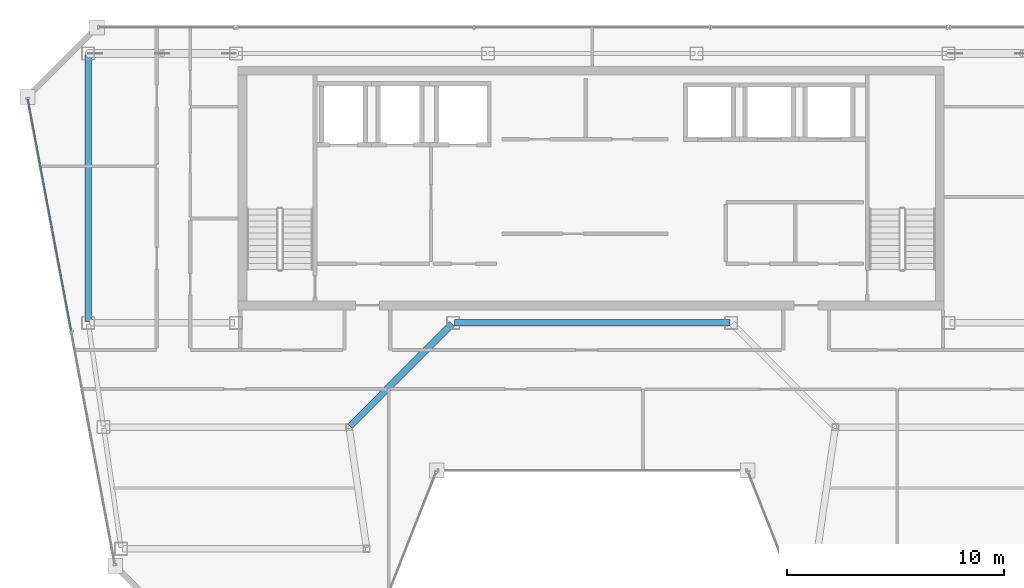
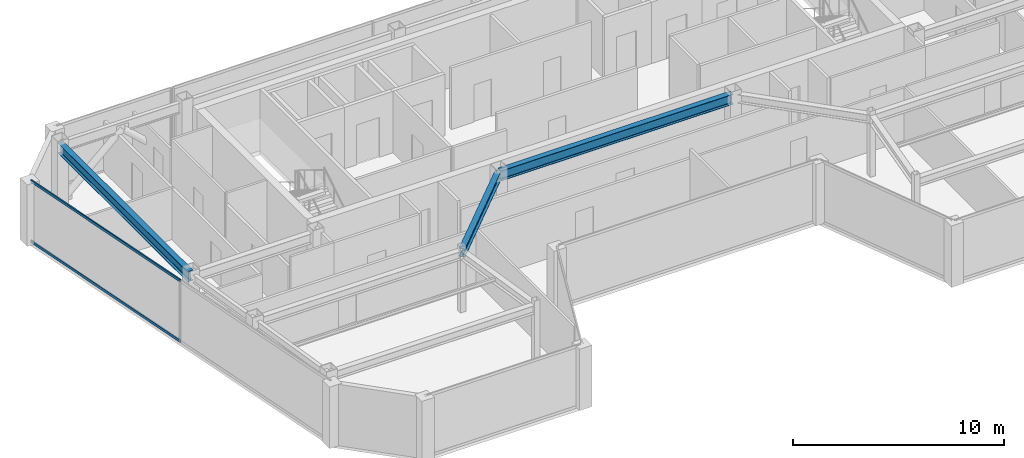
# One storey, part 7 of 22: 3 beams, 2 members, 1 element without a shape of its own.
"""IFC4 building model written with IfcOpenShell, lengths in metres."""

from ifc_helpers import new_model, si_unit, direction, frame, origin, origin_2d, place, context, subcontext, project, spatial, hollow_rectangle, i_section, extrude, material, material_profile, profile_set, type_object, element, aggregate, save


model = new_model("IFC4")

# Units and contexts
model_context = context("Model", 3, precision=1e-05, world=origin(), true_north=direction((0.0, 1.0)))
body_context = subcontext(model_context, "Body", "Model", "MODEL_VIEW")
ifc_project = project(units=[si_unit("LENGTHUNIT", "METRE"), si_unit("AREAUNIT", "SQUARE_METRE"), si_unit("VOLUMEUNIT", "CUBIC_METRE"), si_unit("PLANEANGLEUNIT", "RADIAN"), si_unit("MASSUNIT", "GRAM", prefix="KILO")], contexts=[model_context])

# Site, building, storey
site_placement = place(None, origin())
site = spatial("IfcSite", under=ifc_project, at=site_placement, CompositionType="ELEMENT")
building_placement = place(site_placement, origin())
building = spatial("IfcBuilding", under=site, at=building_placement, Name="Saevonmaru Cultural Tower", CompositionType="ELEMENT")
storey_placement = place(building_placement, frame((0.0, 0.0, 287.60009765625)))
storey = spatial("IfcBuildingStorey", under=building, at=storey_placement, Name="L68", CompositionType="ELEMENT", Elevation=287.60009765625)

# Beams
ifc_material_1 = material(Name="Steel SM355", Category="steel")
ifc_material_profile_1 = material_profile(ifc_material_1, i_section(OverallWidth=0.300048828125, OverallDepth=0.488037109375, WebThickness=0.010986328125, FlangeThickness=0.01806640625, FilletRadius=0.02197265625, at=origin_2d()), Name="H-488x300x11x18")
ifc_profile_set_1 = profile_set([ifc_material_profile_1], Name="Steel SM355")
beam_type_1 = type_object("IfcBeamType", Name="BM-G-H488", PredefinedType="BEAM", material=ifc_profile_set_1)
beam_1_placement = place(storey_placement, frame((18.850341796875, 37.642578125, 3.305908203125), z_axis=(0.706538566564, 0.707674539572, 0.0), x_axis=(-0.707674539572, 0.706538566564, 0.0)))
element("IfcBeam", 1, at=beam_1_placement, inside=storey, type_object=beam_type_1, Name="L68 West Atrium Girder 2", PredefinedType="BEAM", context=body_context, shape_type="SweptSolid", body=[
    extrude(i_section(OverallWidth=0.300048828125, OverallDepth=0.488037109375, WebThickness=0.010986328125, FlangeThickness=0.01806640625, FilletRadius=0.02197265625, at=origin_2d()), origin(), (0.0, 0.0, 1.0), 6.662353515625),
])
ifc_material_profile_2 = material_profile(ifc_material_1, i_section(OverallWidth=0.300048828125, OverallDepth=0.587890625, WebThickness=0.011962890625, FlangeThickness=0.02001953125, FilletRadius=0.02392578125, at=origin_2d()), Name="H-588x300x12x20")
ifc_profile_set_2 = profile_set([ifc_material_profile_2], Name="Steel SM355")
beam_type_2 = type_object("IfcBeamType", Name="BM-G-H588", PredefinedType="BEAM", material=ifc_profile_set_2)
beam_2_placement = place(storey_placement, frame((23.659912109375, 42.39990234375, 3.255859375), z_axis=(1.0, 0.0, 0.0), x_axis=(0.0, 1.0, 0.0)))
element("IfcBeam", 2, at=beam_2_placement, inside=storey, type_object=beam_type_2, Name="L68 Core South Girder 3", PredefinedType="BEAM", context=body_context, shape_type="SweptSolid", body=[
    extrude(i_section(OverallWidth=0.300048828125, OverallDepth=0.587890625, WebThickness=0.011962890625, FlangeThickness=0.02001953125, FilletRadius=0.02392578125, at=origin_2d()), origin(), (0.0, 0.0, 1.0), 12.68017578125),
])
beam_3_placement = place(storey_placement, frame((6.800048828125, 54.739990234375, 3.255859375), z_axis=(0.0, -1.0, 0.0), x_axis=(1.0, 0.0, 0.0)))
element("IfcBeam", 3, at=beam_3_placement, inside=storey, type_object=beam_type_2, Name="L68 Spine Transverse Girder W", PredefinedType="BEAM", context=body_context, shape_type="SweptSolid", body=[
    extrude(i_section(OverallWidth=0.300048828125, OverallDepth=0.587890625, WebThickness=0.011962890625, FlangeThickness=0.02001953125, FilletRadius=0.02392578125, at=origin_2d()), origin(), (0.0, 0.0, 1.0), 12.280029296875),
])

# Curtain wall, members
ifc_material_2 = material(Name="Satin Bronze Anodised Aluminium", Category="aluminium")
curtain_wall_type = type_object("IfcCurtainWallType", Name="CW-TYP-B", PredefinedType="NOTDEFINED", material=ifc_material_2)
curtain_wall_placement = place(storey_placement, origin())
curtain_wall = element("IfcCurtainWall", 4, at=curtain_wall_placement, inside=storey, type_object=curtain_wall_type, Name="L68 Unitised Curtain Wall E12", PredefinedType="NOTDEFINED")
ifc_material_profile_3 = material_profile(ifc_material_2, hollow_rectangle(XDim=0.06494140625, YDim=0.14990234375, WallThickness=0.00390625, at=origin_2d()), Name="ALU-TRAN-150x65x4")
ifc_profile_set_3 = profile_set([ifc_material_profile_3], Name="Satin Bronze Anodised Aluminium")
member_type = type_object("IfcMemberType", Name="TR-CW-150x65", PredefinedType="USERDEFINED", material=ifc_profile_set_3)
member_1_placement = place(storey_placement, frame((4.01708984375, 52.708984375, 0.032470703125), z_axis=(0.184029339557, -0.982920750713, 0.0), x_axis=(0.982920750713, 0.184029339557, 0.0)))
member_1 = element("IfcMember", 5, at=member_1_placement, type_object=member_type, Name="CW-TW-L68-E12 transom 1.1", ObjectType="TRANSOM", PredefinedType="USERDEFINED", context=body_context, shape_type="SweptSolid", body=[
    extrude(hollow_rectangle(XDim=0.06494140625, YDim=0.14990234375, WallThickness=0.00390625, at=origin_2d()), origin(), (0.0, 0.0, 1.0), 10.862548828125),
])
member_2_placement = place(storey_placement, frame((4.01708984375, 52.708984375, 3.517333984375), z_axis=(0.184029339557, -0.982920750713, 0.0), x_axis=(0.982920750713, 0.184029339557, 0.0)))
member_2 = element("IfcMember", 6, at=member_2_placement, type_object=member_type, Name="CW-TW-L68-E12 transom 1.2", ObjectType="TRANSOM", PredefinedType="USERDEFINED", context=body_context, shape_type="SweptSolid", body=[
    extrude(hollow_rectangle(XDim=0.06494140625, YDim=0.14990234375, WallThickness=0.00390625, at=origin_2d()), origin(), (0.0, 0.0, 1.0), 10.862548828125),
])
aggregate(curtain_wall, [member_1, member_2])

save(model, "model.ifc")
